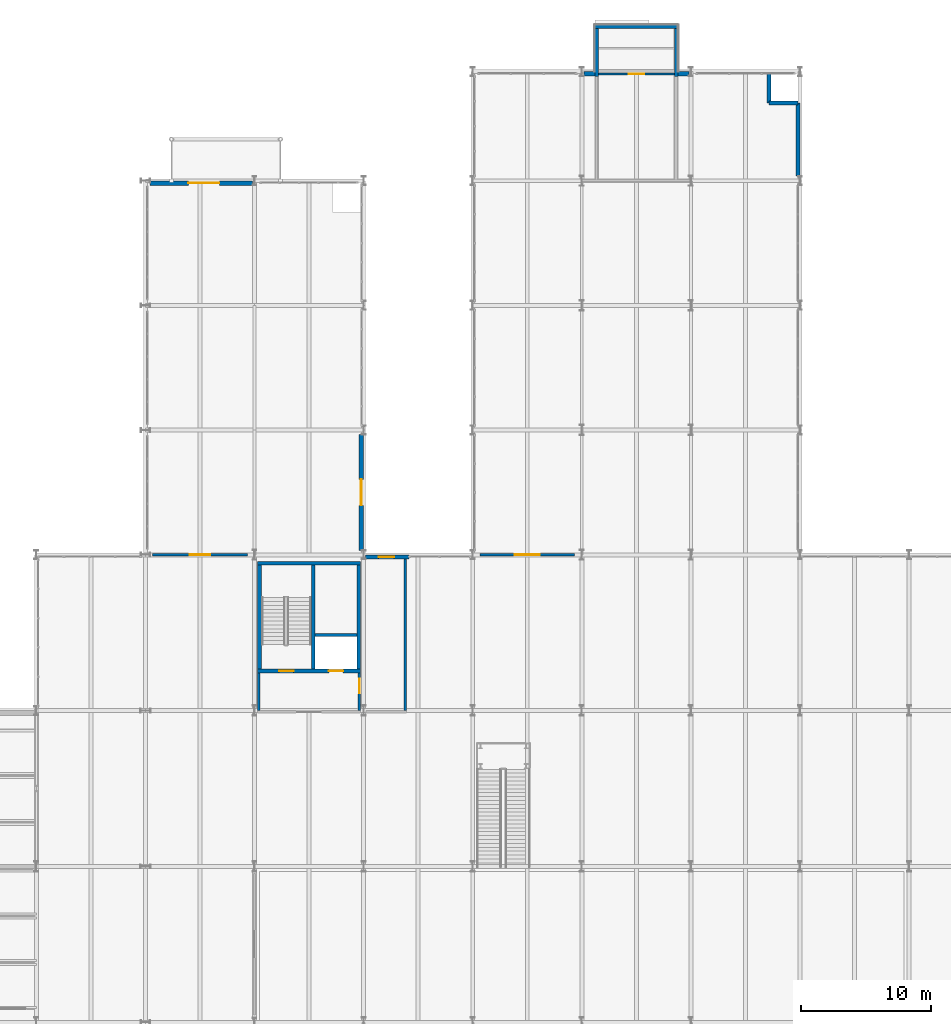
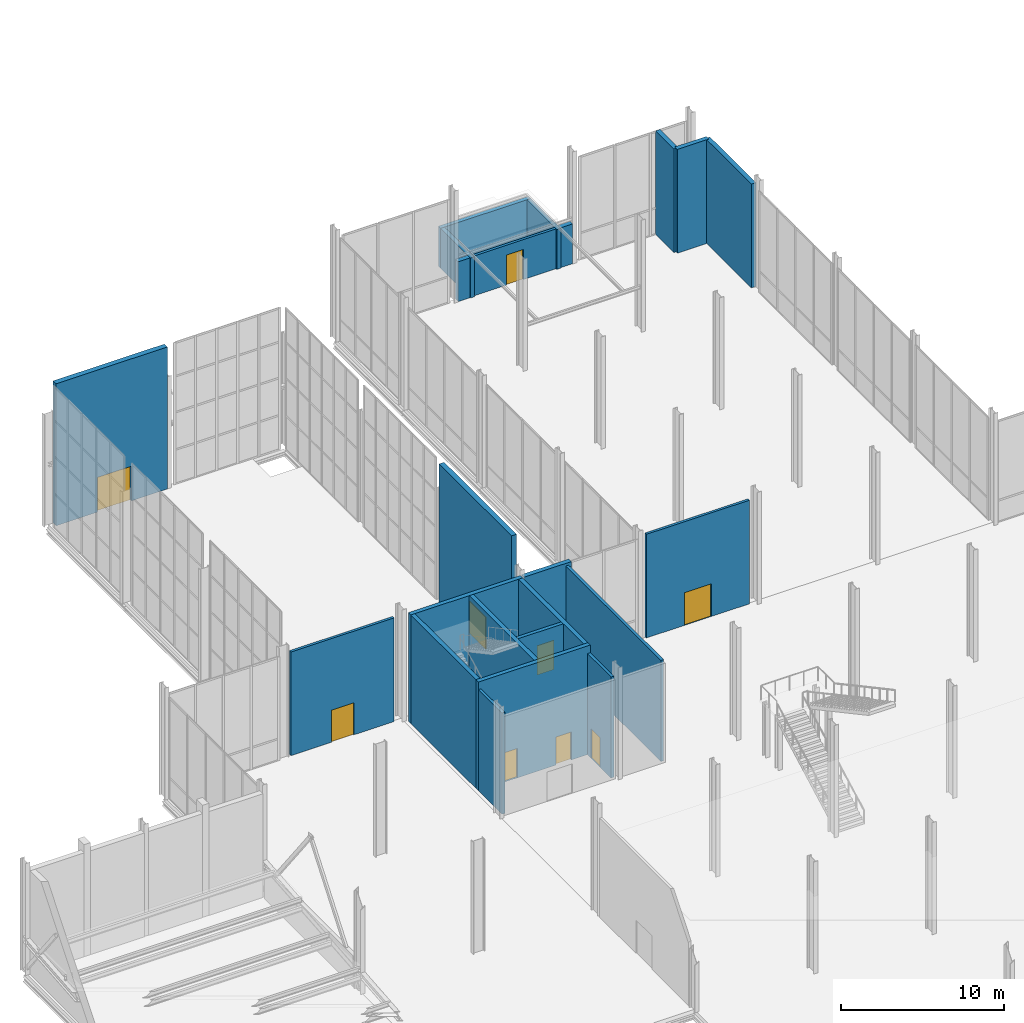
# One storey, part 119 of 131: 23 walls, 9 doors, 9 openings.
"""IFC4 building model written with IfcOpenShell, lengths in metres."""

from ifc_helpers import new_model, si_unit, direction, frame, frame_2d, origin, place, context, subcontext, project, spatial, rectangle, extrude, material, layer, layer_set, type_object, element, fill, save


model = new_model("IFC4")

# Units and contexts
model_context = context("Model", 3, precision=1e-05, world=origin(), true_north=direction((0.0, 1.0)))
body_context = subcontext(model_context, "Body", "Model", "MODEL_VIEW")
ifc_project = project(units=[si_unit("LENGTHUNIT", "METRE"), si_unit("AREAUNIT", "SQUARE_METRE"), si_unit("VOLUMEUNIT", "CUBIC_METRE"), si_unit("PLANEANGLEUNIT", "RADIAN"), si_unit("MASSUNIT", "GRAM", prefix="KILO")], contexts=[model_context])

# Site, building, storey
site_placement = place(None, origin())
site = spatial("IfcSite", under=ifc_project, at=site_placement, CompositionType="ELEMENT")
building_placement = place(site_placement, origin())
building = spatial("IfcBuilding", under=site, at=building_placement, Name="Veltarok Museum of Natural Sciences", CompositionType="ELEMENT")
storey_placement = place(building_placement, origin())
storey = spatial("IfcBuildingStorey", under=building, at=storey_placement, Name="L00", CompositionType="ELEMENT", Elevation=0.0)

# Walls
ifc_material_1 = material(Name="Precast concrete C40/50", Category="concrete")
ifc_layer_1 = layer(ifc_material_1, 0.280029296875)
ifc_layer_set_1 = layer_set([ifc_layer_1], Name="Precast concrete C40/50")
wall_type_1 = type_object("IfcWallType", Name="Cabinet Box Insulated Backup Wall 280", PredefinedType="SOLIDWALL", material=ifc_layer_set_1)
wall_1_placement = place(storey_placement, frame((72.60009765625, 112.659912109375, 0.0), z_axis=(0.0, 0.0, 1.0), x_axis=(-1.0, 0.0, 0.0)))
element("IfcWall", 1, at=wall_1_placement, inside=storey, type_object=wall_type_1, Name="Cabinet Box Wall DB-34-N", PredefinedType="SOLIDWALL", context=body_context, shape_type="SweptSolid", body=[
    extrude(rectangle(XDim=6.400146484375, YDim=0.280029296875, at=frame_2d((3.2001953125, 0.0))), origin(), (0.0, 0.0, 1.0), 2.989990234375),
])
for number, where, z_axis, x_axis, name in (
    (2, (66.340087890625, 112.52001953125, 0.0), (0.0, 0.0, 1.0), (0.0, -1.0, 0.0), "Cabinet Box Wall DB-34-W"),
    (3, (72.4599609375, 108.840087890625, 0.0), (0.0, 0.0, 1.0), (0.0, 1.0, 0.0), "Cabinet Box Wall DB-34-E"),
):
    element("IfcWall", number, at=place(storey_placement, frame(where, z_axis=z_axis, x_axis=x_axis)), inside=storey, type_object=wall_type_1, Name=name, PredefinedType="SOLIDWALL", context=body_context, shape_type="SweptSolid", body=[
        extrude(rectangle(XDim=3.679931640625, YDim=0.280029296875, at=frame_2d((1.83984375, 0.0))), origin(), (0.0, 0.0, 1.0), 2.989990234375),
    ])

# Wall, opening, door
ifc_material_2 = material(Name="Acoustic gypsum and mineral wool")
ifc_layer_2 = layer(ifc_material_2, 0.179931640625)
ifc_layer_set_2 = layer_set([ifc_layer_2], Name="Acoustic gypsum and mineral wool")
wall_type_2 = type_object("IfcWallType", Name="Exhibition Gallery Partition 180", PredefinedType="PARTITIONING", material=ifc_layer_set_2)
wall_2_placement = place(storey_placement, frame((66.47998046875, 109.02001953125, 0.0), z_axis=(0.0, 0.0, 1.0), x_axis=(1.0, 0.0, 0.0)))
wall_2 = element("IfcWall", 4, at=wall_2_placement, inside=storey, type_object=wall_type_2, Name="Cabinet Threshold Partition DB-34", PredefinedType="PARTITIONING", context=body_context, shape_type="SweptSolid", body=[
    extrude(rectangle(XDim=5.840087890625, YDim=0.179931640625, at=frame_2d((2.919921875, 0.0))), origin(), (0.0, 0.0, 1.0), 2.989990234375),
])
opening_1_placement = place(wall_2_placement, frame((2.330078125, 0.0, 0.0)))
opening_1 = element("IfcOpeningElement", 5, at=opening_1_placement, cuts=wall_2, Name="Opening D-L00-105", PredefinedType="OPENING", context=body_context, shape_type="SweptSolid", body=[
    extrude(rectangle(XDim=1.179931640625, YDim=2.25, at=frame_2d((0.58984375, 1.125))), frame((0.0, 0.10009765625, 0.0), z_axis=(0.0, -1.0, 0.0), x_axis=(1.0, 0.0, 0.0)), (0.0, 0.0, 1.0), 0.199951171875),
])
ifc_material_3 = material(Name="Airtight powder-coated steel", Category="steel")
door_type_1 = type_object("IfcDoorType", Name="Large Cabinet Conservation Door 1180x2250", OperationType="NOTDEFINED", PredefinedType="DOOR", material=ifc_material_3)
door_1_placement = place(opening_1_placement, origin())
door_1 = element("IfcDoor", 6, at=door_1_placement, inside=storey, type_object=door_type_1, Name="Cabinet Conservation Door DB-34", OperationType="SINGLE_SWING_LEFT", OverallHeight=2.25, OverallWidth=1.179931640625, PredefinedType="DOOR", context=body_context, shape_type="SweptSolid", body=[
    extrude(rectangle(XDim=1.179931640625, YDim=2.25, at=frame_2d((0.58984375, 1.125))), frame((0.0, 0.02490234375, 0.0), z_axis=(0.0, -1.0, 0.0), x_axis=(1.0, 0.0, 0.0)), (0.0, 0.0, 1.0), 0.050048828125),
])
fill(opening_1, door_1)

wall_3_placement = place(storey_placement, frame((57.35009765625, 72.0, 0.0), z_axis=(0.0, 0.0, 1.0), x_axis=(1.0, 0.0, 0.0)))
wall_3 = element("IfcWall", 7, at=wall_3_placement, inside=storey, type_object=wall_type_2, Name="Interior Partition L00-019", PredefinedType="PARTITIONING", context=body_context, shape_type="SweptSolid", body=[
    extrude(rectangle(XDim=7.2998046875, YDim=0.179931640625, at=frame_2d((3.64990234375, 0.0))), origin(), (0.0, 0.0, 1.0), 7.77197265625),
])
opening_2_placement = place(wall_3_placement, frame((2.699951171875, 0.0, 0.0)))
opening_2 = element("IfcOpeningElement", 8, at=opening_2_placement, cuts=wall_3, Name="Opening D-L00-145", PredefinedType="OPENING", context=body_context, shape_type="SweptSolid", body=[
    extrude(rectangle(XDim=1.89990234375, YDim=2.449951171875, at=frame_2d((0.949951171875, 1.22509765625))), frame((0.0, 0.10009765625, 0.0), z_axis=(0.0, -1.0, 0.0), x_axis=(1.0, 0.0, 0.0)), (0.0, 0.0, 1.0), 0.199951171875),
])
ifc_material_4 = material(Name="Solid European oak and acoustic glass", Category="glass")
door_type_2 = type_object("IfcDoorType", Name="Exhibition Hall Double Door 1900x2450", OperationType="NOTDEFINED", PredefinedType="DOOR", material=ifc_material_4)
door_2_placement = place(opening_2_placement, origin())
door_2 = element("IfcDoor", 9, at=door_2_placement, inside=storey, type_object=door_type_2, Name="Interior Door D-L00-145", OperationType="DOUBLE_DOOR_SINGLE_SWING", OverallHeight=2.449951171875, OverallWidth=1.89990234375, PredefinedType="DOOR", context=body_context, shape_type="SweptSolid", body=[
    extrude(rectangle(XDim=1.89990234375, YDim=2.449951171875, at=frame_2d((0.949951171875, 1.22509765625))), frame((0.0, 0.02490234375, 0.0), z_axis=(0.0, -1.0, 0.0), x_axis=(1.0, 0.0, 0.0)), (0.0, 0.0, 1.0), 0.050048828125),
])
fill(opening_2, door_2)

wall_4_placement = place(storey_placement, frame((32.14990234375, 72.0, 0.0), z_axis=(0.0, 0.0, 1.0), x_axis=(1.0, 0.0, 0.0)))
wall_4 = element("IfcWall", 10, at=wall_4_placement, inside=storey, type_object=wall_type_2, Name="Interior Partition L00-020", PredefinedType="PARTITIONING", context=body_context, shape_type="SweptSolid", body=[
    extrude(rectangle(XDim=7.300048828125, YDim=0.179931640625, at=frame_2d((3.64990234375, 0.0))), origin(), (0.0, 0.0, 1.0), 7.77197265625),
])
opening_3_placement = place(wall_4_placement, frame((2.85009765625, 0.0, 0.0)))
opening_3 = element("IfcOpeningElement", 11, at=opening_3_placement, cuts=wall_4, Name="Opening D-L00-146", PredefinedType="OPENING", context=body_context, shape_type="SweptSolid", body=[
    extrude(rectangle(XDim=1.60009765625, YDim=2.39990234375, at=frame_2d((0.800048828125, 1.199951171875))), frame((0.0, 0.10009765625, 0.0), z_axis=(0.0, -1.0, 0.0), x_axis=(1.0, 0.0, 0.0)), (0.0, 0.0, 1.0), 0.199951171875),
])
ifc_material_5 = material(Name="Solid European oak and safety glass", Category="glass")
door_type_3 = type_object("IfcDoorType", Name="Gallery Double Swing Door 1600x2400", OperationType="NOTDEFINED", PredefinedType="DOOR", material=ifc_material_5)
door_3_placement = place(opening_3_placement, origin())
door_3 = element("IfcDoor", 12, at=door_3_placement, inside=storey, type_object=door_type_3, Name="Interior Door D-L00-146", OperationType="DOUBLE_DOOR_SINGLE_SWING", OverallHeight=2.39990234375, OverallWidth=1.60009765625, PredefinedType="DOOR", context=body_context, shape_type="SweptSolid", body=[
    extrude(rectangle(XDim=1.60009765625, YDim=2.39990234375, at=frame_2d((0.800048828125, 1.199951171875))), frame((0.0, 0.02490234375, 0.0), z_axis=(0.0, -1.0, 0.0), x_axis=(1.0, 0.0, 0.0)), (0.0, 0.0, 1.0), 0.050048828125),
])
fill(opening_3, door_3)

ifc_material_6 = material(Name="Concrete C40/50", Category="concrete")
ifc_layer_3 = layer(ifc_material_6, 0.360107421875)
ifc_layer_set_3 = layer_set([ifc_layer_3], Name="Concrete C40/50")
wall_type_3 = type_object("IfcWallType", Name="Exposed Architectural Concrete Facade Wall 360", PredefinedType="SOLIDWALL", material=ifc_layer_set_3)
wall_5_placement = place(storey_placement, frame((39.85009765625, 100.6201171875, 0.0), z_axis=(0.0, 0.0, 1.0), x_axis=(-1.0, 0.0, 0.0)))
wall_5 = element("IfcWall", 13, at=wall_5_placement, inside=storey, type_object=wall_type_3, Name="North Sculpture Court Passage Portal Wall", PredefinedType="SOLIDWALL", context=body_context, shape_type="SweptSolid", body=[
    extrude(rectangle(XDim=7.900146484375, YDim=0.360107421875, at=frame_2d((3.9501953125, 0.0))), origin(), (0.0, 0.0, 1.0), 10.64990234375),
])
opening_4_placement = place(wall_5_placement, frame((2.550048828125, 0.0, 0.0)))
opening_4 = element("IfcOpeningElement", 14, at=opening_4_placement, cuts=wall_5, Name="Opening E-07", PredefinedType="OPENING", context=body_context, shape_type="SweptSolid", body=[
    extrude(rectangle(XDim=2.39990234375, YDim=2.60009765625, at=frame_2d((1.199951171875, 1.300048828125))), frame((0.0, 0.18994140625, 0.0), z_axis=(0.0, -1.0, 0.0), x_axis=(1.0, 0.0, 0.0)), (0.0, 0.0, 1.0), 0.380126953125),
])
ifc_material_7 = material(Name="Thermally broken aluminium and glass", Category="aluminium")
door_type_4 = type_object("IfcDoorType", Name="Double Glazed Entrance Portal Door 2400x2600", OperationType="NOTDEFINED", PredefinedType="DOOR", material=ifc_material_7)
door_4_placement = place(opening_4_placement, frame((2.39990234375, 0.0, 0.0), z_axis=(0.0, 0.0, 1.0), x_axis=(-1.0, 0.0, 0.0)))
door_4 = element("IfcDoor", 15, at=door_4_placement, inside=storey, type_object=door_type_4, Name="Main Entrance E-07 North Passage", OperationType="DOUBLE_DOOR_SINGLE_SWING", OverallHeight=2.60009765625, OverallWidth=2.39990234375, PredefinedType="DOOR", context=body_context, shape_type="SweptSolid", body=[
    extrude(rectangle(XDim=2.39990234375, YDim=2.60009765625, at=frame_2d((1.199951171875, 1.300048828125))), frame((0.0, 0.02490234375, 0.0), z_axis=(0.0, -1.0, 0.0), x_axis=(1.0, 0.0, 0.0)), (0.0, 0.0, 1.0), 0.050048828125),
])
fill(opening_4, door_4)

wall_6_placement = place(storey_placement, frame((48.219970703125, 72.35009765625, 0.0), z_axis=(0.0, 0.0, 1.0), x_axis=(0.0, 1.0, 0.0)))
wall_6 = element("IfcWall", 16, at=wall_6_placement, inside=storey, type_object=wall_type_3, Name="Core C3 North Escape Discharge Wall", PredefinedType="SOLIDWALL", context=body_context, shape_type="SweptSolid", body=[
    extrude(rectangle(XDim=8.89990234375, YDim=0.360107421875, at=frame_2d((4.449951171875, 0.0))), origin(), (0.0, 0.0, 1.0), 10.64990234375),
])
opening_5_placement = place(wall_6_placement, frame((3.449951171875, 0.0, 0.0)))
opening_5 = element("IfcOpeningElement", 17, at=opening_5_placement, cuts=wall_6, Name="Opening E-08", PredefinedType="OPENING", context=body_context, shape_type="SweptSolid", body=[
    extrude(rectangle(XDim=2.0, YDim=2.39990234375, at=frame_2d((1.0, 1.199951171875))), frame((0.0, 0.18994140625, 0.0), z_axis=(0.0, -1.0, 0.0), x_axis=(1.0, 0.0, 0.0)), (0.0, 0.0, 1.0), 0.380126953125),
])
ifc_material_8 = material(Name="Insulated steel and safety glass", Category="steel")
door_type_5 = type_object("IfcDoorType", Name="Double Escape Discharge Door 2000x2400", OperationType="NOTDEFINED", PredefinedType="DOOR", material=ifc_material_8)
door_5_placement = place(opening_5_placement, frame((2.0, 0.0, 0.0), z_axis=(0.0, 0.0, 1.0), x_axis=(-1.0, 0.0, 0.0)))
door_5 = element("IfcDoor", 18, at=door_5_placement, inside=storey, type_object=door_type_5, Name="Pedestrian Final Exit E-08 North Court", OperationType="DOUBLE_DOOR_SINGLE_SWING", OverallHeight=2.39990234375, OverallWidth=2.0, PredefinedType="DOOR", context=body_context, shape_type="SweptSolid", body=[
    extrude(rectangle(XDim=2.0, YDim=2.39990234375, at=frame_2d((1.0, 1.199951171875))), frame((0.0, 0.02490234375, 0.0), z_axis=(0.0, -1.0, 0.0), x_axis=(1.0, 0.0, 0.0)), (0.0, 0.0, 1.0), 0.050048828125),
])
fill(opening_5, door_5)

# Wall
ifc_material_9 = material(Name="Concrete C35/45", Category="concrete")
ifc_layer_4 = layer(ifc_material_9, 0.199951171875)
ifc_layer_set_4 = layer_set([ifc_layer_4], Name="Concrete C35/45")
wall_type_4 = type_object("IfcWallType", Name="Firefighting Lobby Compartment Wall 200", PredefinedType="SOLIDWALL", material=ifc_layer_set_4)
wall_7_placement = place(storey_placement, frame((40.330078125, 60.0, 0.0), z_axis=(0.0, 0.0, 1.0), x_axis=(0.0, 1.0, 0.0)))
element("IfcWall", 19, at=wall_7_placement, inside=storey, type_object=wall_type_4, Name="Firefighting Lobby Wall C3 L00 W", PredefinedType="SOLIDWALL", context=body_context, shape_type="SweptSolid", body=[
    extrude(rectangle(XDim=2.89990234375, YDim=0.199951171875, at=frame_2d((1.449951171875, 0.0))), origin(), (0.0, 0.0, 1.0), 7.58203125),
])

# Wall, opening, door
wall_8_placement = place(storey_placement, frame((48.070068359375, 62.89990234375, 0.0), z_axis=(0.0, 0.0, 1.0), x_axis=(0.0, -1.0, 0.0)))
wall_8 = element("IfcWall", 20, at=wall_8_placement, inside=storey, type_object=wall_type_4, Name="Firefighting Lobby Wall C3 L00 E", PredefinedType="SOLIDWALL", context=body_context, shape_type="SweptSolid", body=[
    extrude(rectangle(XDim=2.89990234375, YDim=0.199951171875, at=frame_2d((1.449951171875, 0.0))), origin(), (0.0, 0.0, 1.0), 7.58203125),
])
opening_6_placement = place(wall_8_placement, frame((0.449951171875, 0.0, 0.0)))
opening_6 = element("IfcOpeningElement", 21, at=opening_6_placement, cuts=wall_8, Name="Opening D-L00-018", PredefinedType="OPENING", context=body_context, shape_type="SweptSolid", body=[
    extrude(rectangle(XDim=1.10009765625, YDim=2.199951171875, at=frame_2d((0.550048828125, 1.10009765625))), frame((0.0, 0.10986328125, 0.0), z_axis=(0.0, -1.0, 0.0), x_axis=(1.0, 0.0, 0.0)), (0.0, 0.0, 1.0), 0.219970703125),
])
ifc_material_10 = material(Name="Fire-rated painted steel", Category="steel")
door_type_6 = type_object("IfcDoorType", Name="Fire Core Single Escape Door 1100x2200", OperationType="NOTDEFINED", PredefinedType="DOOR", material=ifc_material_10)
door_6_placement = place(opening_6_placement, origin())
door_6 = element("IfcDoor", 22, at=door_6_placement, inside=storey, type_object=door_type_6, Name="Protected Exit Passageway Door ST-03 L00", OperationType="SINGLE_SWING_LEFT", OverallHeight=2.199951171875, OverallWidth=1.10009765625, PredefinedType="DOOR", context=body_context, shape_type="SweptSolid", body=[
    extrude(rectangle(XDim=1.10009765625, YDim=2.199951171875, at=frame_2d((0.550048828125, 1.10009765625))), frame((0.0, 0.02490234375, 0.0), z_axis=(0.0, -1.0, 0.0), x_axis=(1.0, 0.0, 0.0)), (0.0, 0.0, 1.0), 0.050048828125),
])
fill(opening_6, door_6)

# Wall
wall_9_placement = place(storey_placement, frame((51.60009765625, 60.0, 0.0), z_axis=(0.0, 0.0, 1.0), x_axis=(0.0, 1.0, 0.0)))
element("IfcWall", 23, at=wall_9_placement, inside=storey, type_object=wall_type_4, Name="Firefighting Lobby Wall C3 L00 EPE", PredefinedType="SOLIDWALL", context=body_context, shape_type="SweptSolid", body=[
    extrude(rectangle(XDim=11.679931640625, YDim=0.199951171875, at=frame_2d((5.83984375, 0.0))), origin(), (0.0, 0.0, 1.0), 7.58203125),
])

# Wall, opening, door
ifc_layer_5 = layer(ifc_material_1, 0.320068359375)
ifc_layer_set_5 = layer_set([ifc_layer_5], Name="Precast concrete C40/50")
wall_type_5 = type_object("IfcWallType", Name="Insulated Precast Facade Wall 320", PredefinedType="SOLIDWALL", material=ifc_layer_set_5)
wall_10_placement = place(storey_placement, frame((51.89990234375, 71.840087890625, 0.0), z_axis=(0.0, 0.0, 1.0), x_axis=(-1.0, 0.0, 0.0)))
wall_10 = element("IfcWall", 24, at=wall_10_placement, inside=storey, type_object=wall_type_5, Name="Core C3 Exit Passageway North Facade Wall L00", PredefinedType="SOLIDWALL", context=body_context, shape_type="SweptSolid", body=[
    extrude(rectangle(XDim=3.349853515625, YDim=0.320068359375, at=frame_2d((1.6748046875, 0.0))), origin(), (0.0, 0.0, 1.0), 7.780029296875),
])
opening_7_placement = place(wall_10_placement, frame((1.14990234375, 0.0, 0.0)))
opening_7 = element("IfcOpeningElement", 25, at=opening_7_placement, cuts=wall_10, Name="Opening E-14", PredefinedType="OPENING", context=body_context, shape_type="SweptSolid", body=[
    extrude(rectangle(XDim=1.199951171875, YDim=2.199951171875, at=frame_2d((0.60009765625, 1.10009765625))), frame((0.0, 0.169921875, 0.0), z_axis=(0.0, -1.0, 0.0), x_axis=(1.0, 0.0, 0.0)), (0.0, 0.0, 1.0), 0.340087890625),
])
door_type_7 = type_object("IfcDoorType", Name="Terrace Single Glazed Door 1200x2200", OperationType="NOTDEFINED", PredefinedType="DOOR", material=ifc_material_7)
door_7_placement = place(opening_7_placement, frame((1.199951171875, 0.0, 0.0), z_axis=(0.0, 0.0, 1.0), x_axis=(-1.0, 0.0, 0.0)))
door_7 = element("IfcDoor", 26, at=door_7_placement, inside=storey, type_object=door_type_7, Name="Pedestrian Final Exit E-14 North Forecourt", OperationType="SINGLE_SWING_LEFT", OverallHeight=2.199951171875, OverallWidth=1.199951171875, PredefinedType="DOOR", context=body_context, shape_type="SweptSolid", body=[
    extrude(rectangle(XDim=1.199951171875, YDim=2.199951171875, at=frame_2d((0.60009765625, 1.10009765625))), frame((0.0, 0.02490234375, 0.0), z_axis=(0.0, -1.0, 0.0), x_axis=(1.0, 0.0, 0.0)), (0.0, 0.0, 1.0), 0.050048828125),
])
fill(opening_7, door_7)

# Walls
for number, where, z_axis, x_axis, name in (
    (27, (66.199951171875, 109.0400390625, 0.0), (0.0, 0.0, 1.0), (-1.0, 0.0, 0.0), "North Diorama Cabinet Collar Wall W"),
    (28, (73.449951171875, 109.0400390625, 0.0), (0.0, 0.0, 1.0), (-1.0, 0.0, 0.0), "North Diorama Cabinet Collar Wall E"),
):
    element("IfcWall", number, at=place(storey_placement, frame(where, z_axis=z_axis, x_axis=x_axis)), inside=storey, type_object=wall_type_5, Name=name, PredefinedType="SOLIDWALL", context=body_context, shape_type="SweptSolid", body=[
        extrude(rectangle(XDim=0.849853515625, YDim=0.320068359375, at=frame_2d((0.4248046875, 0.0))), origin(), (0.0, 0.0, 1.0), 2.991943359375),
    ])
wall_11_placement = place(storey_placement, frame((81.840087890625, 101.14990234375, 0.0), z_axis=(0.0, 0.0, 1.0), x_axis=(0.0, 1.0, 0.0)))
element("IfcWall", 29, at=wall_11_placement, inside=storey, type_object=wall_type_5, Name="North Diorama East Wall L00 L-M", PredefinedType="SOLIDWALL", context=body_context, shape_type="SweptSolid", body=[
    extrude(rectangle(XDim=5.650146484375, YDim=0.320068359375, at=frame_2d((2.8251953125, 0.0))), origin(), (0.0, 0.0, 1.0), 7.780029296875),
])
for number, where, z_axis, x_axis, name in (
    (30, (81.840087890625, 106.800048828125, 0.0), (0.0, 0.0, 1.0), (-1.0, 0.0, 0.0), "North Diorama Chamfer South Wall L00"),
    (31, (79.60009765625, 106.800048828125, 0.0), (0.0, 0.0, 1.0), (0.0, 1.0, 0.0), "North Diorama Chamfer West Wall L00"),
):
    element("IfcWall", number, at=place(storey_placement, frame(where, z_axis=z_axis, x_axis=x_axis)), inside=storey, type_object=wall_type_5, Name=name, PredefinedType="SOLIDWALL", context=body_context, shape_type="SweptSolid", body=[
        extrude(rectangle(XDim=2.239990234375, YDim=0.320068359375, at=frame_2d((1.1201171875, 0.0))), origin(), (0.0, 0.0, 1.0), 7.780029296875),
    ])
ifc_layer_6 = layer(ifc_material_6, 0.25)
ifc_layer_set_6 = layer_set([ifc_layer_6], Name="Concrete C40/50")
wall_type_6 = type_object("IfcWallType", Name="Lift Shaft Concrete Shear Wall 250", PredefinedType="SHEAR", material=ifc_layer_set_6)
wall_12_placement = place(storey_placement, frame((44.669921875, 65.824951171875, 0.0), z_axis=(0.0, 0.0, 1.0), x_axis=(1.0, 0.0, 0.0)))
element("IfcWall", 32, at=wall_12_placement, inside=storey, type_object=wall_type_6, Name="Lift Shaft Back Wall C3 L00", PredefinedType="SHEAR", context=body_context, shape_type="SweptSolid", body=[
    extrude(rectangle(XDim=3.2001953125, YDim=0.25, at=frame_2d((1.60009765625, 0.0))), origin(), (0.0, 0.0, 1.0), 8.14990234375),
])

# Wall, openings, doors
ifc_layer_7 = layer(ifc_material_6, 0.300048828125)
ifc_layer_set_7 = layer_set([ifc_layer_7], Name="Concrete C40/50")
wall_type_7 = type_object("IfcWallType", Name="Protected Core Shear Wall 300", PredefinedType="SHEAR", material=ifc_layer_set_7)
wall_13_placement = place(storey_placement, frame((40.22998046875, 63.050048828125, 0.0), z_axis=(0.0, 0.0, 1.0), x_axis=(1.0, 0.0, 0.0)))
wall_13 = element("IfcWall", 33, at=wall_13_placement, inside=storey, type_object=wall_type_7, Name="Core Shear Wall C3 L00 S", PredefinedType="SHEAR", context=body_context, shape_type="SweptSolid", body=[
    extrude(rectangle(XDim=7.93994140625, YDim=0.300048828125, at=frame_2d((3.969970703125, 0.0))), origin(), (0.0, 0.0, 1.0), 8.14990234375),
])
opening_8_placement = place(wall_13_placement, frame((1.669921875, 0.0, 0.0)))
opening_8 = element("IfcOpeningElement", 34, at=opening_8_placement, cuts=wall_13, Name="Opening D-L00-016", PredefinedType="OPENING", context=body_context, shape_type="SweptSolid", body=[
    extrude(rectangle(XDim=1.10009765625, YDim=2.199951171875, at=frame_2d((0.550048828125, 1.10009765625))), frame((0.0, 0.16015625, 0.0), z_axis=(0.0, -1.0, 0.0), x_axis=(1.0, 0.0, 0.0)), (0.0, 0.0, 1.0), 0.320068359375),
])
opening_9_placement = place(wall_13_placement, frame((5.489990234375, 0.0, 0.0)))
opening_9 = element("IfcOpeningElement", 35, at=opening_9_placement, cuts=wall_13, Name="Opening LD-L00-LP-03", PredefinedType="OPENING", context=body_context, shape_type="SweptSolid", body=[
    extrude(rectangle(XDim=1.10009765625, YDim=2.10009765625, at=frame_2d((0.550048828125, 1.050048828125))), frame((0.0, 0.16015625, 0.0), z_axis=(0.0, -1.0, 0.0), x_axis=(1.0, 0.0, 0.0)), (0.0, 0.0, 1.0), 0.320068359375),
])
door_8_placement = place(opening_8_placement, origin())
door_8 = element("IfcDoor", 36, at=door_8_placement, inside=storey, type_object=door_type_6, Name="Protected Stair Door ST-03 L00", OperationType="SINGLE_SWING_RIGHT", OverallHeight=2.199951171875, OverallWidth=1.10009765625, PredefinedType="DOOR", context=body_context, shape_type="SweptSolid", body=[
    extrude(rectangle(XDim=1.10009765625, YDim=2.199951171875, at=frame_2d((0.550048828125, 1.10009765625))), frame((0.0, 0.02490234375, 0.0), z_axis=(0.0, -1.0, 0.0), x_axis=(1.0, 0.0, 0.0)), (0.0, 0.0, 1.0), 0.050048828125),
])
fill(opening_8, door_8)
ifc_material_11 = material(Name="Brushed stainless steel", Category="steel")
door_type_8 = type_object("IfcDoorType", Name="Passenger and Firefighting Lift Landing Door 1100x2100", OperationType="SLIDING_TO_LEFT", PredefinedType="DOOR", material=ifc_material_11)
door_9_placement = place(opening_9_placement, origin())
door_9 = element("IfcDoor", 37, at=door_9_placement, inside=storey, type_object=door_type_8, Name="Sliding Lift Landing Door LD-L00-LP-03", OperationType="SLIDING_TO_LEFT", OverallHeight=2.10009765625, OverallWidth=1.10009765625, PredefinedType="DOOR", context=body_context, shape_type="SweptSolid", body=[
    extrude(rectangle(XDim=1.10009765625, YDim=2.10009765625, at=frame_2d((0.550048828125, 1.050048828125))), frame((0.0, 0.02490234375, 0.0), z_axis=(0.0, -1.0, 0.0), x_axis=(1.0, 0.0, 0.0)), (0.0, 0.0, 1.0), 0.050048828125),
])
fill(opening_9, door_9)

# Walls
wall_14_placement = place(storey_placement, frame((48.169921875, 71.35009765625, 0.0), z_axis=(0.0, 0.0, 1.0), x_axis=(-1.0, 0.0, 0.0)))
element("IfcWall", 38, at=wall_14_placement, inside=storey, type_object=wall_type_7, Name="Core Shear Wall C3 L00 N", PredefinedType="SHEAR", context=body_context, shape_type="SweptSolid", body=[
    extrude(rectangle(XDim=7.93994140625, YDim=0.300048828125, at=frame_2d((3.969970703125, 0.0))), origin(), (0.0, 0.0, 1.0), 8.14990234375),
])
for number, where, z_axis, x_axis, name in (
    (39, (40.3798828125, 71.199951171875, 0.0), (0.0, 0.0, 1.0), (0.0, -1.0, 0.0), "Core Shear Wall C3 L00 W"),
    (40, (48.02001953125, 63.199951171875, 0.0), (0.0, 0.0, 1.0), (0.0, 1.0, 0.0), "Core Shear Wall C3 L00 E"),
    (41, (44.52001953125, 63.199951171875, 0.0), (0.0, 0.0, 1.0), (0.0, 1.0, 0.0), "Core Shear Wall C3 L00 DIV"),
):
    element("IfcWall", number, at=place(storey_placement, frame(where, z_axis=z_axis, x_axis=x_axis)), inside=storey, type_object=wall_type_7, Name=name, PredefinedType="SHEAR", context=body_context, shape_type="SweptSolid", body=[
        extrude(rectangle(XDim=8.0, YDim=0.300048828125, at=frame_2d((4.0, 0.0))), origin(), (0.0, 0.0, 1.0), 8.14990234375),
    ])

save(model, "model.ifc")
